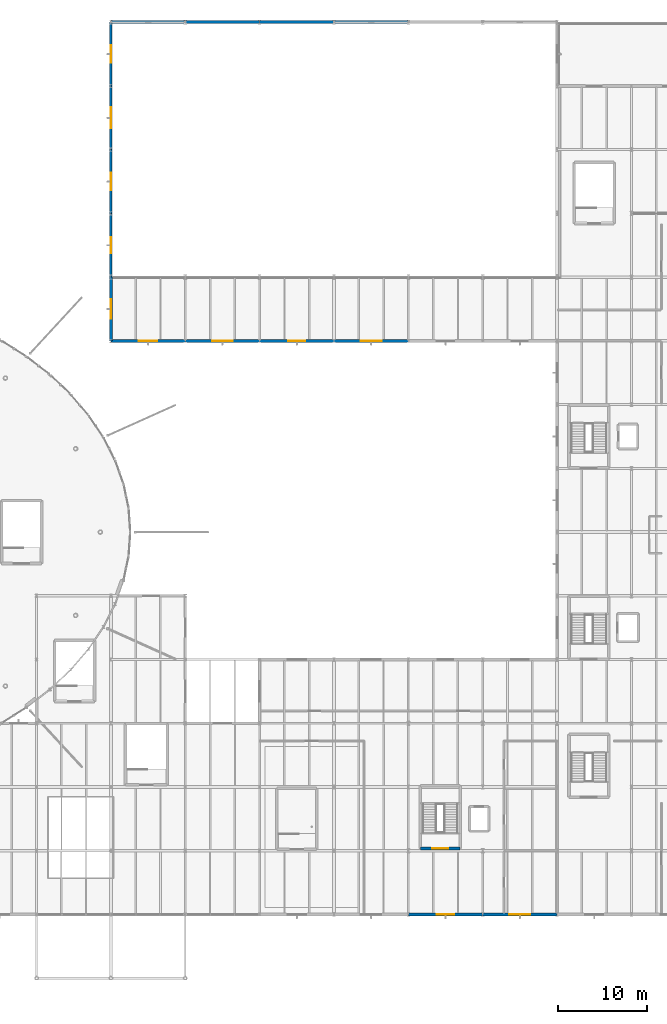
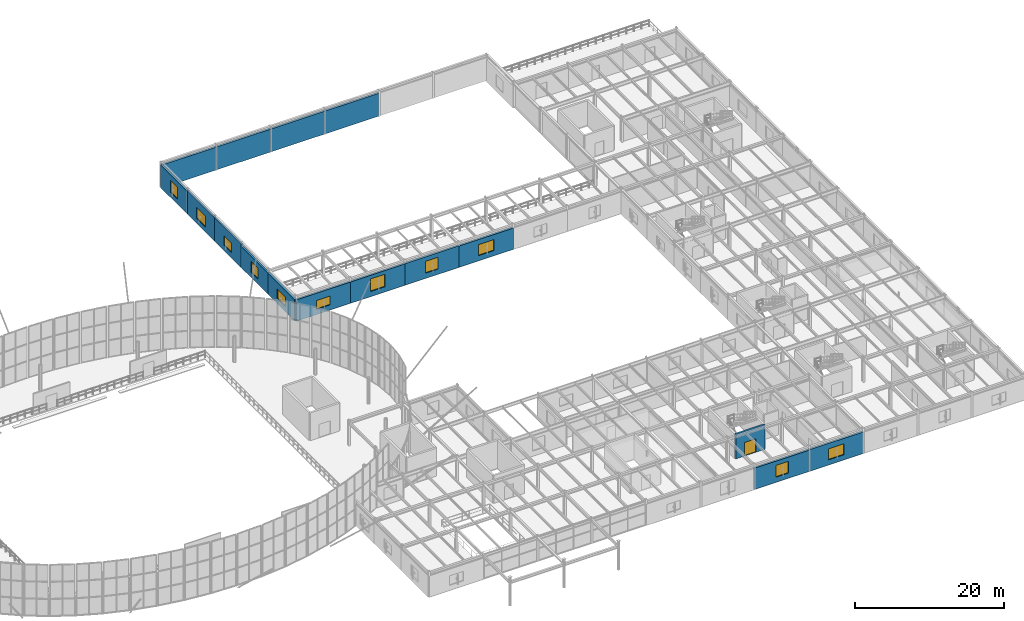
# One storey, part 66 of 109: 16 walls, 11 windows, 1 door, 12 openings.
"""IFC4 building model written with IfcOpenShell, lengths in metres."""

import ifcopenshell
import ifcopenshell.guid

model = None  # the IFC model being written
_history = None  # IfcOwnerHistory: only IFC2X3 demands one
_inside = {}  # id of a spatial element -> (the spatial element, [elements in it])
_under = {}  # id of a project, library or spatial element -> (it, [spatial elements below it])
_declared = {}  # id of a project -> (the project, [libraries it declares])
_typed = {}  # id of a type object -> (the type object, [elements of that type])
_made_of = {}  # id of a material, layer set ... -> (it, [elements and type objects made of it])


def new_model(schema):
    """Start an empty IFC model of exactly this schema.

    Asked for "IFC4X3", IfcOpenShell would pick the latest addendum, in which some entities
    have other attributes; the version numbers below select the first issue.
    IFC2X3 requires an IfcOwnerHistory on every rooted entity: one is made here for all.
    """
    global model, _history
    if schema == "IFC4X3":
        model = ifcopenshell.file(schema_version=(4, 3, 0, 0))
    else:
        model = ifcopenshell.file(schema=schema)
    _inside.clear()
    _under.clear()
    _declared.clear()
    _typed.clear()
    _made_of.clear()
    _history = None
    if model.schema == "IFC2X3":
        org = make("IfcOrganization", Name="unknown")
        user = make(
            "IfcPersonAndOrganization",
            ThePerson=make("IfcPerson", FamilyName="unknown"),
            TheOrganization=org,
        )
        app = make(
            "IfcApplication",
            ApplicationDeveloper=org,
            Version="unknown",
            ApplicationFullName="unknown",
            ApplicationIdentifier="unknown",
        )
        _history = make(
            "IfcOwnerHistory",
            OwningUser=user,
            OwningApplication=app,
            ChangeAction="ADDED",
            CreationDate=0,
        )
    return model


def make(cls, **values):
    """One entity of the class cls with the attributes given. An attribute that is None is left unset."""
    return model.create_entity(
        cls, **{name: value for name, value in values.items() if value is not None}
    )


def rooted(cls, **values):
    """An entity with a GlobalId (a new one), such as an element, a storey or a relation."""
    return make(cls, GlobalId=ifcopenshell.guid.new(), OwnerHistory=_history, **values)


def si_unit(unit_type, name, prefix=None):
    """IfcSIUnit, for example si_unit("LENGTHUNIT", "METRE", prefix="MILLI")."""
    return make("IfcSIUnit", UnitType=unit_type, Prefix=prefix, Name=name)


def derived_unit(unit_type, elements):
    """IfcDerivedUnit: a product of units, each with its exponent."""
    return make(
        "IfcDerivedUnit",
        Elements=[
            make("IfcDerivedUnitElement", Unit=unit, Exponent=power)
            for unit, power in elements
        ],
        UnitType=unit_type,
    )


def assignment(units):
    """IfcUnitAssignment: the units of a project."""
    return None if units is None else make("IfcUnitAssignment", Units=units)


def point(xyz):
    """IfcCartesianPoint."""
    return None if xyz is None else make("IfcCartesianPoint", Coordinates=xyz)


def direction(xyz):
    """IfcDirection."""
    return None if xyz is None else make("IfcDirection", DirectionRatios=xyz)


def frame(location, z_axis=None, x_axis=None):
    """IfcAxis2Placement3D, a coordinate frame: its origin and axes. An axis left out is left unset."""
    return make(
        "IfcAxis2Placement3D",
        Location=point(location),
        Axis=direction(z_axis),
        RefDirection=direction(x_axis),
    )


def frame_2d(location, x_axis=None):
    """IfcAxis2Placement2D, a coordinate frame in the plane: its origin and x axis."""
    return make(
        "IfcAxis2Placement2D", Location=point(location), RefDirection=direction(x_axis)
    )


def origin():
    """The frame at (0, 0, 0) with its axes left unset."""
    return frame((0.0, 0.0, 0.0))


def place(relative_to, where):
    """IfcLocalPlacement: puts the frame where relative to a parent placement (None: the world)."""
    return make(
        "IfcLocalPlacement", PlacementRelTo=relative_to, RelativePlacement=where
    )


def context(
    kind, dimensions, precision=None, world=None, true_north=None, identifier=None
):
    """IfcGeometricRepresentationContext, for example the 3D "Model" context."""
    return make(
        "IfcGeometricRepresentationContext",
        ContextIdentifier=identifier,
        ContextType=kind,
        CoordinateSpaceDimension=dimensions,
        Precision=precision,
        WorldCoordinateSystem=world,
        TrueNorth=true_north,
    )


def subcontext(parent, identifier, kind, view, scale=None):
    """IfcGeometricRepresentationSubContext, for example "Body" below "Model"."""
    return make(
        "IfcGeometricRepresentationSubContext",
        ContextIdentifier=identifier,
        ContextType=kind,
        ParentContext=parent,
        TargetScale=scale,
        TargetView=view,
    )


def project(units=None, contexts=None):
    """IfcProject with its units and contexts."""
    return rooted(
        "IfcProject",
        Name="project",
        RepresentationContexts=contexts,
        UnitsInContext=assignment(units),
    )


def spatial(cls, under=None, at=None, **own):
    """A site, building, storey or space (cls), placed at a placement, below another one or the project."""
    s = rooted(cls, ObjectPlacement=at, **own)
    if under is not None:
        _under.setdefault(under.id(), (under, []))[1].append(s)
    return s


def profile(cls, at=None, kind="AREA", **sizes):
    """A parametric profile (cls). Its sizes go by their IFC names, for example OverallWidth=200.0."""
    return make(cls, ProfileType=kind, Position=at, **sizes)


def rectangle(**sizes):
    """IfcRectangleProfileDef."""
    return profile("IfcRectangleProfileDef", **sizes)


def extrude(swept, where, along, depth):
    """IfcExtrudedAreaSolid: the profile swept, set in the frame where, extruded along a direction by depth."""
    return make(
        "IfcExtrudedAreaSolid",
        SweptArea=swept,
        Position=where,
        ExtrudedDirection=direction(along),
        Depth=depth,
    )


def shape(context_of_items, identifier, shape_type, items):
    """IfcShapeRepresentation: the items that make up one representation, for example the "Body"."""
    return make(
        "IfcShapeRepresentation",
        ContextOfItems=context_of_items,
        RepresentationIdentifier=identifier,
        RepresentationType=shape_type,
        Items=items,
    )


def material(Name=None, Category=None):
    """IfcMaterial."""
    return make("IfcMaterial", Name=Name, Category=Category)


def layer(
    of_material, thickness, ventilated=None, Name=None, Category=None, Priority=None
):
    """IfcMaterialLayer: one layer of a wall or slab, of a material (None: an air gap)."""
    return make(
        "IfcMaterialLayer",
        Material=of_material,
        LayerThickness=thickness,
        IsVentilated=ventilated,
        Name=Name,
        Category=Category,
        Priority=Priority,
    )


def layer_set(layers, Name=None):
    """IfcMaterialLayerSet."""
    return make("IfcMaterialLayerSet", MaterialLayers=layers, LayerSetName=Name)


def made_of(thing, what):
    """Note that an element or type object is made of a material, layer set ...; save() writes the relation."""
    if what is not None:
        _made_of.setdefault(what.id(), (what, []))[1].append(thing)
    return thing


def type_object(cls, material=None, **own):
    """A type object (cls), such as IfcWallType, which elements share."""
    return made_of(rooted(cls, **own), material)


def element(
    cls,
    number,
    at=None,
    inside=None,
    cuts=None,
    type_object=None,
    material=None,
    context=None,
    identifier="Body",
    shape_type=None,
    held_by="IfcProductDefinitionShape",
    body=None,
    shapes=None,
    **own,
):
    """One element of the class cls, such as IfcWall. Its Tag is "e" and its number.

    at: its placement. inside: the storey or other place that contains it. cuts: it is an
    opening in that element (IfcRelVoidsElement). A single representation is given by context,
    identifier, shape_type and body (its items); several are given by shapes. held_by: the class
    of the entity that holds the representations. save() writes the other relations.
    """
    e = rooted(cls, Tag="e%d" % number, ObjectPlacement=at, **own)
    if body is not None:
        shapes = [shape(context, identifier, shape_type, body)]
    if shapes is not None:
        e.Representation = make(held_by, Representations=shapes)
    if inside is not None:
        _inside.setdefault(inside.id(), (inside, []))[1].append(e)
    if cuts is not None:
        rooted(
            "IfcRelVoidsElement", RelatingBuildingElement=cuts, RelatedOpeningElement=e
        )
    if type_object is not None:
        _typed.setdefault(type_object.id(), (type_object, []))[1].append(e)
    return made_of(e, material)


def fill(opening, filler):
    """IfcRelFillsElement: the door or window that sits in an opening."""
    return rooted(
        "IfcRelFillsElement",
        RelatingOpeningElement=opening,
        RelatedBuildingElement=filler,
    )


def aggregate(whole, parts):
    """IfcRelAggregates: a whole, such as a stair, and the parts it consists of."""
    return rooted("IfcRelAggregates", RelatingObject=whole, RelatedObjects=parts)


def save(model, path):
    """Write the relations noted so far, then the file.

    IfcRelAggregates (storeys below a building ...), IfcRelContainedInSpatialStructure (elements
    in a storey), IfcRelDefinesByType, IfcRelAssociatesMaterial and IfcRelDeclares: one each for
    every whole, place, type object, material and project.
    """
    for whole, parts in _under.values():
        aggregate(whole, parts)
    for where, things in _inside.values():
        rooted(
            "IfcRelContainedInSpatialStructure",
            RelatedElements=things,
            RelatingStructure=where,
        )
    for kind, things in _typed.values():
        rooted("IfcRelDefinesByType", RelatedObjects=things, RelatingType=kind)
    for what, things in _made_of.values():
        rooted("IfcRelAssociatesMaterial", RelatedObjects=things, RelatingMaterial=what)
    for by, libraries in _declared.values():
        rooted("IfcRelDeclares", RelatingContext=by, RelatedDefinitions=libraries)
    model.write(path)


model = new_model("IFC4")

# Units and contexts
model_context = context("Model", 3, precision=1e-05, world=origin(), true_north=direction((0.0, 1.0)))
body_context = subcontext(model_context, "Body", "Model", "MODEL_VIEW")
ifc_project = project(units=[si_unit("LENGTHUNIT", "METRE"), si_unit("AREAUNIT", "SQUARE_METRE"), si_unit("VOLUMEUNIT", "CUBIC_METRE"), si_unit("PLANEANGLEUNIT", "RADIAN"), si_unit("MASSUNIT", "GRAM", prefix="KILO"), derived_unit("THERMALTRANSMITTANCEUNIT", [(si_unit("MASSUNIT", "GRAM", prefix="KILO"), 1), (si_unit("TIMEUNIT", "SECOND"), -3), (si_unit("THERMODYNAMICTEMPERATUREUNIT", "KELVIN"), -1)])], contexts=[model_context])

# Site, building, storey
site_placement = place(None, origin())
site = spatial("IfcSite", under=ifc_project, at=site_placement, CompositionType="ELEMENT")
building_placement = place(site_placement, origin())
building = spatial("IfcBuilding", under=site, at=building_placement, Name="Kharveza Railside Sports Centre", CompositionType="ELEMENT")
storey_placement = place(building_placement, frame((0.0, 0.0, 4.5)))
storey = spatial("IfcBuildingStorey", under=building, at=storey_placement, Name="L01", CompositionType="ELEMENT", Elevation=4.5)

# Walls
ifc_material_1 = material(Name="Acoustic mineral-wool metal cladding panel")
ifc_layer_1 = layer(ifc_material_1, 0.340087890625, Name="Acoustic mineral-wool metal cladding panel")
ifc_layer_set_1 = layer_set([ifc_layer_1], Name="Acoustic mineral-wool metal cladding panel")
wall_type_1 = type_object("IfcWallType", Name="WL-AC340", PredefinedType="STANDARD", material=ifc_layer_set_1)
wall_1_placement = place(storey_placement, frame((126.0, 108.0, 0.0), z_axis=(0.0, 0.0, 1.0), x_axis=(-1.0, 0.0, 0.0)))
element("IfcWall", 1, at=wall_1_placement, inside=storey, type_object=wall_type_1, Name="WL-EXT-L01-114", PredefinedType="STANDARD", context=body_context, shape_type="SweptSolid", body=[
    extrude(rectangle(XDim=8.39990234375, YDim=0.340087890625, at=frame_2d((4.199951171875, 0.0))), origin(), (0.0, 0.0, 1.0), 3.7451171875),
])
wall_2_placement = place(storey_placement, frame((117.60009765625, 108.0, 0.0), z_axis=(0.0, 0.0, 1.0), x_axis=(-1.0, 0.0, 0.0)))
element("IfcWall", 2, at=wall_2_placement, inside=storey, type_object=wall_type_1, Name="WL-EXT-L01-115", PredefinedType="STANDARD", context=body_context, shape_type="SweptSolid", body=[
    extrude(rectangle(XDim=8.400146484375, YDim=0.340087890625, at=frame_2d((4.2001953125, 0.0))), origin(), (0.0, 0.0, 1.0), 3.7451171875),
])
wall_3_placement = place(storey_placement, frame((109.199951171875, 108.0, 0.0), z_axis=(0.0, 0.0, 1.0), x_axis=(-1.0, 0.0, 0.0)))
element("IfcWall", 3, at=wall_3_placement, inside=storey, type_object=wall_type_1, Name="WL-EXT-L01-116", PredefinedType="STANDARD", context=body_context, shape_type="SweptSolid", body=[
    extrude(rectangle(XDim=8.39990234375, YDim=0.340087890625, at=frame_2d((4.199951171875, 0.0))), origin(), (0.0, 0.0, 1.0), 3.7451171875),
])
wall_4_placement = place(storey_placement, frame((100.800048828125, 108.0, 0.0), z_axis=(0.0, 0.0, 1.0), x_axis=(-1.0, 0.0, 0.0)))
element("IfcWall", 4, at=wall_4_placement, inside=storey, type_object=wall_type_1, Name="WL-EXT-L01-117", PredefinedType="STANDARD", context=body_context, shape_type="SweptSolid", body=[
    extrude(rectangle(XDim=8.400146484375, YDim=0.340087890625, at=frame_2d((4.2001953125, 0.0))), origin(), (0.0, 0.0, 1.0), 3.7451171875),
])

# Wall, opening, door
ifc_material_2 = material(Name="Concrete C35/45", Category="concrete")
ifc_layer_2 = layer(ifc_material_2, 0.300048828125, Name="Concrete C35/45")
ifc_layer_set_2 = layer_set([ifc_layer_2], Name="Concrete C35/45")
wall_type_2 = type_object("IfcWallType", Name="WL-CR300", PredefinedType="SHEAR", material=ifc_layer_set_2)
wall_5_placement = place(storey_placement, frame((127.35009765625, 14.64990234375, 0.0), z_axis=(0.0, 0.0, 1.0), x_axis=(1.0, 0.0, 0.0)))
wall_5 = element("IfcWall", 5, at=wall_5_placement, inside=storey, type_object=wall_type_2, Name="WL-CORE-ST3-L01-S", PredefinedType="SHEAR", context=body_context, shape_type="SweptSolid", body=[
    extrude(rectangle(XDim=4.5, YDim=0.300048828125, at=frame_2d((2.25, 0.0))), origin(), (0.0, 0.0, 1.0), 4.0),
])
opening_1_placement = place(wall_5_placement, frame((1.35009765625, 0.0, 0.0)))
opening_1 = element("IfcOpeningElement", 6, at=opening_1_placement, cuts=wall_5, Name="Opening D08", PredefinedType="OPENING", context=body_context, shape_type="SweptSolid", body=[
    extrude(rectangle(XDim=1.800048828125, YDim=2.199951171875, at=frame_2d((0.89990234375, 1.10009765625))), frame((0.0, 0.1748046875, 0.0), z_axis=(0.0, -1.0, 0.0), x_axis=(1.0, 0.0, 0.0)), (0.0, 0.0, 1.0), 0.349853515625),
])
ifc_material_3 = material(Name="Fire-rated hardwood door leaf", Category="wood")
door_type = type_object("IfcDoorType", Name="DR-ST01", OperationType="NOTDEFINED", PredefinedType="DOOR", material=ifc_material_3)
door_placement = place(opening_1_placement, frame((1.800048828125, 0.0, 0.0), z_axis=(0.0, 0.0, 1.0), x_axis=(-1.0, 0.0, 0.0)))
door = element("IfcDoor", 7, at=door_placement, inside=storey, type_object=door_type, Name="DR-ST-ST3-L01", OperationType="DOUBLE_DOOR_SINGLE_SWING", OverallHeight=2.199951171875, OverallWidth=1.800048828125, PredefinedType="DOOR", context=body_context, shape_type="SweptSolid", body=[
    extrude(rectangle(XDim=1.800048828125, YDim=2.199951171875, at=frame_2d((0.89990234375, 1.10009765625))), frame((0.0, 0.02490234375, 0.0), z_axis=(0.0, -1.0, 0.0), x_axis=(1.0, 0.0, 0.0)), (0.0, 0.0, 1.0), 0.050048828125),
])
fill(opening_1, door)

# Wall, opening, window
ifc_layer_3 = layer(ifc_material_1, 0.2900390625, Name="Acoustic mineral-wool metal cladding panel")
ifc_layer_set_3 = layer_set([ifc_layer_3], Name="Acoustic mineral-wool metal cladding panel")
wall_type_3 = type_object("IfcWallType", Name="WL-EX290", PredefinedType="STANDARD", material=ifc_layer_set_3)
wall_6_placement = place(storey_placement, frame((92.39990234375, 108.0, 0.0), z_axis=(0.0, 0.0, 1.0), x_axis=(0.0, -1.0, 0.0)))
wall_6 = element("IfcWall", 8, at=wall_6_placement, inside=storey, type_object=wall_type_3, Name="WL-EXT-L01-118", PredefinedType="STANDARD", context=body_context, shape_type="SweptSolid", body=[
    extrude(rectangle(XDim=7.199951171875, YDim=0.2900390625, at=frame_2d((3.60009765625, 0.0))), origin(), (0.0, 0.0, 1.0), 3.7451171875),
])
opening_2_placement = place(wall_6_placement, frame((2.625, 0.0, 0.85009765625)))
opening_2 = element("IfcOpeningElement", 9, at=opening_2_placement, cuts=wall_6, Name="Opening WN30", PredefinedType="OPENING", context=body_context, shape_type="SweptSolid", body=[
    extrude(rectangle(XDim=1.949951171875, YDim=1.949951171875, at=frame_2d((0.97509765625, 0.97509765625))), frame((0.0, 0.169921875, 0.0), z_axis=(0.0, -1.0, 0.0), x_axis=(1.0, 0.0, 0.0)), (0.0, 0.0, 1.0), 0.33984375),
])
ifc_material_4 = material(Name="Low-E solar-control laminated glass", Category="glass")
window_type_1 = type_object("IfcWindowType", Name="WN-Z14", PartitioningType="SINGLE_PANEL", PredefinedType="WINDOW", material=ifc_material_4)
window_1_placement = place(opening_2_placement, origin())
window_1 = element("IfcWindow", 10, at=window_1_placement, inside=storey, type_object=window_type_1, Name="WN-EXT-L01-050", OverallHeight=1.949951171875, OverallWidth=1.949951171875, PartitioningType="SINGLE_PANEL", PredefinedType="WINDOW", context=body_context, shape_type="SweptSolid", body=[
    extrude(rectangle(XDim=1.949951171875, YDim=1.949951171875, at=frame_2d((0.97509765625, 0.97509765625))), frame((0.0, 0.030029296875, 0.0), z_axis=(0.0, -1.0, 0.0), x_axis=(1.0, 0.0, 0.0)), (0.0, 0.0, 1.0), 0.06005859375),
])
fill(opening_2, window_1)

wall_7_placement = place(storey_placement, frame((92.39990234375, 100.800048828125, 0.0), z_axis=(0.0, 0.0, 1.0), x_axis=(0.0, -1.0, 0.0)))
wall_7 = element("IfcWall", 11, at=wall_7_placement, inside=storey, type_object=wall_type_3, Name="WL-EXT-L01-119", PredefinedType="STANDARD", context=body_context, shape_type="SweptSolid", body=[
    extrude(rectangle(XDim=7.199951171875, YDim=0.2900390625, at=frame_2d((3.60009765625, 0.0))), origin(), (0.0, 0.0, 1.0), 3.875),
])
opening_3_placement = place(wall_7_placement, frame((2.39990234375, 0.0, 0.85009765625)))
opening_3 = element("IfcOpeningElement", 12, at=opening_3_placement, cuts=wall_7, Name="Opening WN04", PredefinedType="OPENING", context=body_context, shape_type="SweptSolid", body=[
    extrude(rectangle(XDim=2.39990234375, YDim=1.800048828125, at=frame_2d((1.199951171875, 0.89990234375))), frame((0.0, 0.169921875, 0.0), z_axis=(0.0, -1.0, 0.0), x_axis=(1.0, 0.0, 0.0)), (0.0, 0.0, 1.0), 0.33984375),
])
window_type_2 = type_object("IfcWindowType", Name="WN-F04", PartitioningType="SINGLE_PANEL", PredefinedType="WINDOW", material=ifc_material_4)
window_2_placement = place(opening_3_placement, origin())
window_2 = element("IfcWindow", 13, at=window_2_placement, inside=storey, type_object=window_type_2, Name="WN-EXT-L01-051", OverallHeight=1.800048828125, OverallWidth=2.39990234375, PartitioningType="SINGLE_PANEL", PredefinedType="WINDOW", context=body_context, shape_type="SweptSolid", body=[
    extrude(rectangle(XDim=2.39990234375, YDim=1.800048828125, at=frame_2d((1.199951171875, 0.89990234375))), frame((0.0, 0.030029296875, 0.0), z_axis=(0.0, -1.0, 0.0), x_axis=(1.0, 0.0, 0.0)), (0.0, 0.0, 1.0), 0.06005859375),
])
fill(opening_3, window_2)

wall_8_placement = place(storey_placement, frame((92.39990234375, 93.60009765625, 0.0), z_axis=(0.0, 0.0, 1.0), x_axis=(0.0, -1.0, 0.0)))
wall_8 = element("IfcWall", 14, at=wall_8_placement, inside=storey, type_object=wall_type_3, Name="WL-EXT-L01-120", PredefinedType="STANDARD", context=body_context, shape_type="SweptSolid", body=[
    extrude(rectangle(XDim=7.2001953125, YDim=0.2900390625, at=frame_2d((3.60009765625, 0.0))), origin(), (0.0, 0.0, 1.0), 3.875),
])
opening_4_placement = place(wall_8_placement, frame((2.60009765625, 0.0, 0.85009765625)))
opening_4 = element("IfcOpeningElement", 15, at=opening_4_placement, cuts=wall_8, Name="Opening WN15", PredefinedType="OPENING", context=body_context, shape_type="SweptSolid", body=[
    extrude(rectangle(XDim=2.0, YDim=1.60009765625, at=frame_2d((1.0, 0.800048828125))), frame((0.0, 0.169921875, 0.0), z_axis=(0.0, -1.0, 0.0), x_axis=(1.0, 0.0, 0.0)), (0.0, 0.0, 1.0), 0.33984375),
])
window_type_3 = type_object("IfcWindowType", Name="WN-F15", PartitioningType="SINGLE_PANEL", PredefinedType="WINDOW", material=ifc_material_4)
window_3_placement = place(opening_4_placement, origin())
window_3 = element("IfcWindow", 16, at=window_3_placement, inside=storey, type_object=window_type_3, Name="WN-EXT-L01-052", OverallHeight=1.60009765625, OverallWidth=2.0, PartitioningType="SINGLE_PANEL", PredefinedType="WINDOW", context=body_context, shape_type="SweptSolid", body=[
    extrude(rectangle(XDim=2.0, YDim=1.60009765625, at=frame_2d((1.0, 0.800048828125))), frame((0.0, 0.030029296875, 0.0), z_axis=(0.0, -1.0, 0.0), x_axis=(1.0, 0.0, 0.0)), (0.0, 0.0, 1.0), 0.06005859375),
])
fill(opening_4, window_3)

wall_9_placement = place(storey_placement, frame((92.39990234375, 86.39990234375, 0.0), z_axis=(0.0, 0.0, 1.0), x_axis=(0.0, -1.0, 0.0)))
wall_9 = element("IfcWall", 17, at=wall_9_placement, inside=storey, type_object=wall_type_3, Name="WL-EXT-L01-121", PredefinedType="STANDARD", context=body_context, shape_type="SweptSolid", body=[
    extrude(rectangle(XDim=7.199951171875, YDim=0.2900390625, at=frame_2d((3.60009765625, 0.0))), origin(), (0.0, 0.0, 1.0), 3.485107421875),
])
opening_5_placement = place(wall_9_placement, frame((2.699951171875, 0.0, 0.85009765625)))
opening_5 = element("IfcOpeningElement", 18, at=opening_5_placement, cuts=wall_9, Name="Opening WN05", PredefinedType="OPENING", context=body_context, shape_type="SweptSolid", body=[
    extrude(rectangle(XDim=1.800048828125, YDim=1.800048828125, at=frame_2d((0.89990234375, 0.89990234375))), frame((0.0, 0.169921875, 0.0), z_axis=(0.0, -1.0, 0.0), x_axis=(1.0, 0.0, 0.0)), (0.0, 0.0, 1.0), 0.33984375),
])
window_type_4 = type_object("IfcWindowType", Name="WN-F05", PartitioningType="SINGLE_PANEL", PredefinedType="WINDOW", material=ifc_material_4)
window_4_placement = place(opening_5_placement, origin())
window_4 = element("IfcWindow", 19, at=window_4_placement, inside=storey, type_object=window_type_4, Name="WN-EXT-L01-053", OverallHeight=1.800048828125, OverallWidth=1.800048828125, PartitioningType="SINGLE_PANEL", PredefinedType="WINDOW", context=body_context, shape_type="SweptSolid", body=[
    extrude(rectangle(XDim=1.800048828125, YDim=1.800048828125, at=frame_2d((0.89990234375, 0.89990234375))), frame((0.0, 0.030029296875, 0.0), z_axis=(0.0, -1.0, 0.0), x_axis=(1.0, 0.0, 0.0)), (0.0, 0.0, 1.0), 0.06005859375),
])
fill(opening_5, window_4)

ifc_material_5 = material(Name="Precast concrete C40/50", Category="concrete")
ifc_layer_4 = layer(ifc_material_5, 0.320068359375, Name="Precast concrete C40/50")
ifc_layer_set_4 = layer_set([ifc_layer_4], Name="Precast concrete C40/50")
wall_type_4 = type_object("IfcWallType", Name="WL-EX320", PredefinedType="STANDARD", material=ifc_layer_set_4)
wall_10_placement = place(storey_placement, frame((126.0, 7.199951171875, 0.0), z_axis=(0.0, 0.0, 1.0), x_axis=(1.0, 0.0, 0.0)))
wall_10 = element("IfcWall", 20, at=wall_10_placement, inside=storey, type_object=wall_type_4, Name="WL-EXT-L01-090", PredefinedType="STANDARD", context=body_context, shape_type="SweptSolid", body=[
    extrude(rectangle(XDim=8.39990234375, YDim=0.320068359375, at=frame_2d((4.199951171875, 0.0))), origin(), (0.0, 0.0, 1.0), 3.485107421875),
])
opening_6_placement = place(wall_10_placement, frame((3.22509765625, 0.0, 0.85009765625)))
opening_6 = element("IfcOpeningElement", 21, at=opening_6_placement, cuts=wall_10, Name="Opening WN30", PredefinedType="OPENING", context=body_context, shape_type="SweptSolid", body=[
    extrude(rectangle(XDim=1.949951171875, YDim=1.949951171875, at=frame_2d((0.97509765625, 0.97509765625))), frame((0.0, 0.18505859375, 0.0), z_axis=(0.0, -1.0, 0.0), x_axis=(1.0, 0.0, 0.0)), (0.0, 0.0, 1.0), 0.369873046875),
])
window_5_placement = place(opening_6_placement, origin())
window_5 = element("IfcWindow", 22, at=window_5_placement, inside=storey, type_object=window_type_1, Name="WN-EXT-L01-033", OverallHeight=1.949951171875, OverallWidth=1.949951171875, PartitioningType="SINGLE_PANEL", PredefinedType="WINDOW", context=body_context, shape_type="SweptSolid", body=[
    extrude(rectangle(XDim=1.949951171875, YDim=1.949951171875, at=frame_2d((0.97509765625, 0.97509765625))), frame((0.0, 0.030029296875, 0.0), z_axis=(0.0, -1.0, 0.0), x_axis=(1.0, 0.0, 0.0)), (0.0, 0.0, 1.0), 0.06005859375),
])
fill(opening_6, window_5)

wall_11_placement = place(storey_placement, frame((134.39990234375, 7.199951171875, 0.0), z_axis=(0.0, 0.0, 1.0), x_axis=(1.0, 0.0, 0.0)))
wall_11 = element("IfcWall", 23, at=wall_11_placement, inside=storey, type_object=wall_type_4, Name="WL-EXT-L01-091", PredefinedType="STANDARD", context=body_context, shape_type="SweptSolid", body=[
    extrude(rectangle(XDim=8.400146484375, YDim=0.320068359375, at=frame_2d((4.2001953125, 0.0))), origin(), (0.0, 0.0, 1.0), 3.534912109375),
])
opening_7_placement = place(wall_11_placement, frame((3.0, 0.0, 0.85009765625)))
opening_7 = element("IfcOpeningElement", 24, at=opening_7_placement, cuts=wall_11, Name="Opening WN04", PredefinedType="OPENING", context=body_context, shape_type="SweptSolid", body=[
    extrude(rectangle(XDim=2.39990234375, YDim=1.800048828125, at=frame_2d((1.199951171875, 0.89990234375))), frame((0.0, 0.18505859375, 0.0), z_axis=(0.0, -1.0, 0.0), x_axis=(1.0, 0.0, 0.0)), (0.0, 0.0, 1.0), 0.369873046875),
])
window_6_placement = place(opening_7_placement, origin())
window_6 = element("IfcWindow", 25, at=window_6_placement, inside=storey, type_object=window_type_2, Name="WN-EXT-L01-034", OverallHeight=1.800048828125, OverallWidth=2.39990234375, PartitioningType="SINGLE_PANEL", PredefinedType="WINDOW", context=body_context, shape_type="SweptSolid", body=[
    extrude(rectangle(XDim=2.39990234375, YDim=1.800048828125, at=frame_2d((1.199951171875, 0.89990234375))), frame((0.0, 0.030029296875, 0.0), z_axis=(0.0, -1.0, 0.0), x_axis=(1.0, 0.0, 0.0)), (0.0, 0.0, 1.0), 0.06005859375),
])
fill(opening_7, window_6)

wall_12_placement = place(storey_placement, frame((92.39990234375, 79.199951171875, 0.0), z_axis=(0.0, 0.0, 1.0), x_axis=(0.0, -1.0, 0.0)))
wall_12 = element("IfcWall", 26, at=wall_12_placement, inside=storey, type_object=wall_type_4, Name="WL-EXT-L01-122", PredefinedType="STANDARD", context=body_context, shape_type="SweptSolid", body=[
    extrude(rectangle(XDim=7.199951171875, YDim=0.320068359375, at=frame_2d((3.60009765625, 0.0))), origin(), (0.0, 0.0, 1.0), 3.485107421875),
])
opening_8_placement = place(wall_12_placement, frame((2.5, 0.0, 0.85009765625)))
opening_8 = element("IfcOpeningElement", 27, at=opening_8_placement, cuts=wall_12, Name="Opening WN22", PredefinedType="OPENING", context=body_context, shape_type="SweptSolid", body=[
    extrude(rectangle(XDim=2.199951171875, YDim=1.550048828125, at=frame_2d((1.10009765625, 0.77490234375))), frame((0.0, 0.18505859375, 0.0), z_axis=(0.0, -1.0, 0.0), x_axis=(1.0, 0.0, 0.0)), (0.0, 0.0, 1.0), 0.369873046875),
])
window_type_5 = type_object("IfcWindowType", Name="WN-Z06", PartitioningType="SINGLE_PANEL", PredefinedType="WINDOW", material=ifc_material_4)
window_7_placement = place(opening_8_placement, origin())
window_7 = element("IfcWindow", 28, at=window_7_placement, inside=storey, type_object=window_type_5, Name="WN-EXT-L01-054", OverallHeight=1.550048828125, OverallWidth=2.199951171875, PartitioningType="SINGLE_PANEL", PredefinedType="WINDOW", context=body_context, shape_type="SweptSolid", body=[
    extrude(rectangle(XDim=2.199951171875, YDim=1.550048828125, at=frame_2d((1.10009765625, 0.77490234375))), frame((0.0, 0.030029296875, 0.0), z_axis=(0.0, -1.0, 0.0), x_axis=(1.0, 0.0, 0.0)), (0.0, 0.0, 1.0), 0.06005859375),
])
fill(opening_8, window_7)

wall_13_placement = place(storey_placement, frame((92.39990234375, 72.0, 0.0), z_axis=(0.0, 0.0, 1.0), x_axis=(1.0, 0.0, 0.0)))
wall_13 = element("IfcWall", 29, at=wall_13_placement, inside=storey, type_object=wall_type_4, Name="WL-EXT-L01-123", PredefinedType="STANDARD", context=body_context, shape_type="SweptSolid", body=[
    extrude(rectangle(XDim=8.400146484375, YDim=0.320068359375, at=frame_2d((4.2001953125, 0.0))), origin(), (0.0, 0.0, 1.0), 3.485107421875),
])
opening_9_placement = place(wall_13_placement, frame((3.14990234375, 0.0, 0.85009765625)))
opening_9 = element("IfcOpeningElement", 30, at=opening_9_placement, cuts=wall_13, Name="Opening WN23", PredefinedType="OPENING", context=body_context, shape_type="SweptSolid", body=[
    extrude(rectangle(XDim=2.10009765625, YDim=1.449951171875, at=frame_2d((1.050048828125, 0.72509765625))), frame((0.0, 0.18505859375, 0.0), z_axis=(0.0, -1.0, 0.0), x_axis=(1.0, 0.0, 0.0)), (0.0, 0.0, 1.0), 0.369873046875),
])
window_type_6 = type_object("IfcWindowType", Name="WN-Z07", PartitioningType="SINGLE_PANEL", PredefinedType="WINDOW", material=ifc_material_4)
window_8_placement = place(opening_9_placement, origin())
window_8 = element("IfcWindow", 31, at=window_8_placement, inside=storey, type_object=window_type_6, Name="WN-EXT-L01-055", OverallHeight=1.449951171875, OverallWidth=2.10009765625, PartitioningType="SINGLE_PANEL", PredefinedType="WINDOW", context=body_context, shape_type="SweptSolid", body=[
    extrude(rectangle(XDim=2.10009765625, YDim=1.449951171875, at=frame_2d((1.050048828125, 0.72509765625))), frame((0.0, 0.030029296875, 0.0), z_axis=(0.0, -1.0, 0.0), x_axis=(1.0, 0.0, 0.0)), (0.0, 0.0, 1.0), 0.06005859375),
])
fill(opening_9, window_8)

wall_14_placement = place(storey_placement, frame((100.800048828125, 72.0, 0.0), z_axis=(0.0, 0.0, 1.0), x_axis=(1.0, 0.0, 0.0)))
wall_14 = element("IfcWall", 32, at=wall_14_placement, inside=storey, type_object=wall_type_4, Name="WL-EXT-L01-124", PredefinedType="STANDARD", context=body_context, shape_type="SweptSolid", body=[
    extrude(rectangle(XDim=8.39990234375, YDim=0.320068359375, at=frame_2d((4.199951171875, 0.0))), origin(), (0.0, 0.0, 1.0), 3.485107421875),
])
opening_10_placement = place(wall_14_placement, frame((3.050048828125, 0.0, 0.85009765625)))
opening_10 = element("IfcOpeningElement", 33, at=opening_10_placement, cuts=wall_14, Name="Opening WN29", PredefinedType="OPENING", context=body_context, shape_type="SweptSolid", body=[
    extrude(rectangle(XDim=2.300048828125, YDim=2.050048828125, at=frame_2d((1.14990234375, 1.02490234375))), frame((0.0, 0.18505859375, 0.0), z_axis=(0.0, -1.0, 0.0), x_axis=(1.0, 0.0, 0.0)), (0.0, 0.0, 1.0), 0.369873046875),
])
window_type_7 = type_object("IfcWindowType", Name="WN-Z13", PartitioningType="SINGLE_PANEL", PredefinedType="WINDOW", material=ifc_material_4)
window_9_placement = place(opening_10_placement, origin())
window_9 = element("IfcWindow", 34, at=window_9_placement, inside=storey, type_object=window_type_7, Name="WN-EXT-L01-056", OverallHeight=2.050048828125, OverallWidth=2.300048828125, PartitioningType="SINGLE_PANEL", PredefinedType="WINDOW", context=body_context, shape_type="SweptSolid", body=[
    extrude(rectangle(XDim=2.300048828125, YDim=2.050048828125, at=frame_2d((1.14990234375, 1.02490234375))), frame((0.0, 0.030029296875, 0.0), z_axis=(0.0, -1.0, 0.0), x_axis=(1.0, 0.0, 0.0)), (0.0, 0.0, 1.0), 0.06005859375),
])
fill(opening_10, window_9)

wall_15_placement = place(storey_placement, frame((109.199951171875, 72.0, 0.0), z_axis=(0.0, 0.0, 1.0), x_axis=(1.0, 0.0, 0.0)))
wall_15 = element("IfcWall", 35, at=wall_15_placement, inside=storey, type_object=wall_type_4, Name="WL-EXT-L01-125", PredefinedType="STANDARD", context=body_context, shape_type="SweptSolid", body=[
    extrude(rectangle(XDim=8.400146484375, YDim=0.320068359375, at=frame_2d((4.2001953125, 0.0))), origin(), (0.0, 0.0, 1.0), 3.534912109375),
])
opening_11_placement = place(wall_15_placement, frame((3.22509765625, 0.0, 0.85009765625)))
opening_11 = element("IfcOpeningElement", 36, at=opening_11_placement, cuts=wall_15, Name="Opening WN30", PredefinedType="OPENING", context=body_context, shape_type="SweptSolid", body=[
    extrude(rectangle(XDim=1.949951171875, YDim=1.949951171875, at=frame_2d((0.97509765625, 0.97509765625))), frame((0.0, 0.18505859375, 0.0), z_axis=(0.0, -1.0, 0.0), x_axis=(1.0, 0.0, 0.0)), (0.0, 0.0, 1.0), 0.369873046875),
])
window_10_placement = place(opening_11_placement, origin())
window_10 = element("IfcWindow", 37, at=window_10_placement, inside=storey, type_object=window_type_1, Name="WN-EXT-L01-057", OverallHeight=1.949951171875, OverallWidth=1.949951171875, PartitioningType="SINGLE_PANEL", PredefinedType="WINDOW", context=body_context, shape_type="SweptSolid", body=[
    extrude(rectangle(XDim=1.949951171875, YDim=1.949951171875, at=frame_2d((0.97509765625, 0.97509765625))), frame((0.0, 0.030029296875, 0.0), z_axis=(0.0, -1.0, 0.0), x_axis=(1.0, 0.0, 0.0)), (0.0, 0.0, 1.0), 0.06005859375),
])
fill(opening_11, window_10)

wall_16_placement = place(storey_placement, frame((117.60009765625, 72.0, 0.0), z_axis=(0.0, 0.0, 1.0), x_axis=(1.0, 0.0, 0.0)))
wall_16 = element("IfcWall", 38, at=wall_16_placement, inside=storey, type_object=wall_type_4, Name="WL-EXT-L01-126", PredefinedType="STANDARD", context=body_context, shape_type="SweptSolid", body=[
    extrude(rectangle(XDim=8.39990234375, YDim=0.320068359375, at=frame_2d((4.199951171875, 0.0))), origin(), (0.0, 0.0, 1.0), 3.485107421875),
])
opening_12_placement = place(wall_16_placement, frame((3.0, 0.0, 0.85009765625)))
opening_12 = element("IfcOpeningElement", 39, at=opening_12_placement, cuts=wall_16, Name="Opening WN04", PredefinedType="OPENING", context=body_context, shape_type="SweptSolid", body=[
    extrude(rectangle(XDim=2.39990234375, YDim=1.800048828125, at=frame_2d((1.199951171875, 0.89990234375))), frame((0.0, 0.18505859375, 0.0), z_axis=(0.0, -1.0, 0.0), x_axis=(1.0, 0.0, 0.0)), (0.0, 0.0, 1.0), 0.369873046875),
])
window_11_placement = place(opening_12_placement, origin())
window_11 = element("IfcWindow", 40, at=window_11_placement, inside=storey, type_object=window_type_2, Name="WN-EXT-L01-058", OverallHeight=1.800048828125, OverallWidth=2.39990234375, PartitioningType="SINGLE_PANEL", PredefinedType="WINDOW", context=body_context, shape_type="SweptSolid", body=[
    extrude(rectangle(XDim=2.39990234375, YDim=1.800048828125, at=frame_2d((1.199951171875, 0.89990234375))), frame((0.0, 0.030029296875, 0.0), z_axis=(0.0, -1.0, 0.0), x_axis=(1.0, 0.0, 0.0)), (0.0, 0.0, 1.0), 0.06005859375),
])
fill(opening_12, window_11)

save(model, "model.ifc")
